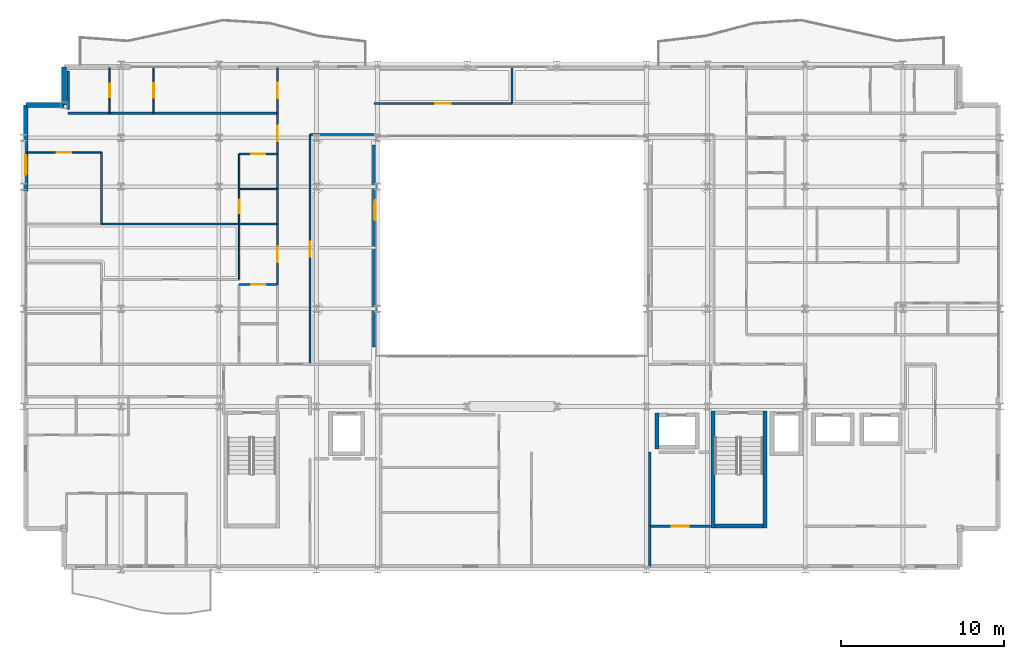
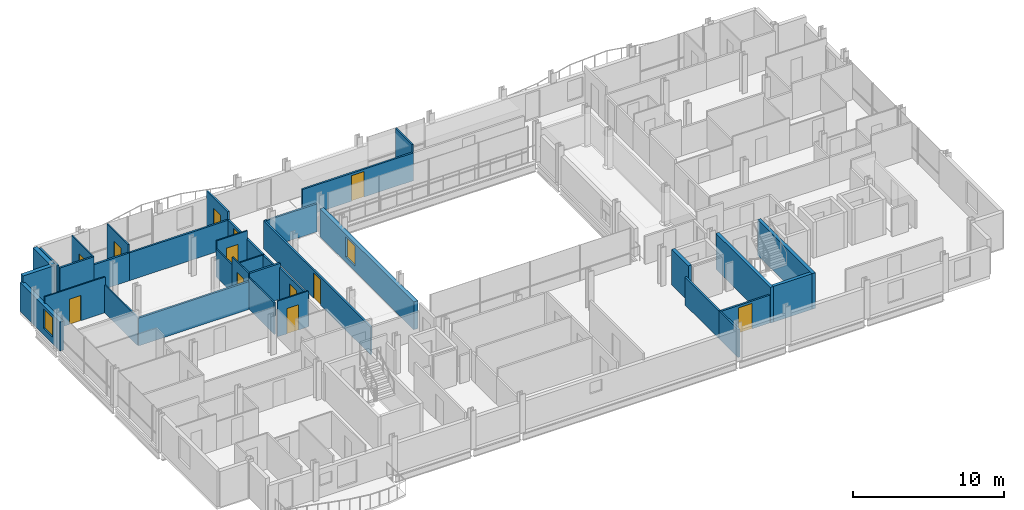
# One storey, part 35 of 41: 36 walls, 12 doors, 2 windows, 14 openings.
"""IFC4 building model written with IfcOpenShell, lengths in metres."""

from ifc_helpers import new_model, si_unit, direction, frame, frame_2d, origin, place, context, subcontext, project, spatial, rectangle, extrude, material, layer, layer_set, type_object, element, fill, save


model = new_model("IFC4")

# Units and contexts
model_context = context("Model", 3, precision=1e-05, world=origin(), true_north=direction((0.0, 1.0)))
body_context = subcontext(model_context, "Body", "Model", "MODEL_VIEW")
ifc_project = project(units=[si_unit("LENGTHUNIT", "METRE"), si_unit("AREAUNIT", "SQUARE_METRE"), si_unit("VOLUMEUNIT", "CUBIC_METRE"), si_unit("PLANEANGLEUNIT", "RADIAN"), si_unit("MASSUNIT", "GRAM", prefix="KILO")], contexts=[model_context])

# Site, building, storey
site_placement = place(None, origin())
site = spatial("IfcSite", under=ifc_project, at=site_placement, CompositionType="ELEMENT")
building_placement = place(site_placement, origin())
building = spatial("IfcBuilding", under=site, at=building_placement, Name="Brevholm Reach", CompositionType="ELEMENT")
storey_placement = place(building_placement, frame((0.0, 0.0, 163.5)))
storey = spatial("IfcBuildingStorey", under=building, at=storey_placement, Name="L49", CompositionType="ELEMENT", Elevation=163.5)

# Walls
ifc_material_1 = material(Name="Concrete C45/55", Category="concrete")
ifc_layer_1 = layer(ifc_material_1, 0.239990234375)
ifc_layer_set_1 = layer_set([ifc_layer_1], Name="Concrete C45/55")
wall_type_1 = type_object("IfcWallType", Name="WAL-COR-240", PredefinedType="SHEAR", material=ifc_layer_set_1)
for number, where, z_axis, x_axis, name in (
    (1, (42.330078125, 2.5400390625, 0.0), (0.0, 0.0, 1.0), (0.0, 1.0, 0.0), "L49 Escape Stair ST-2 Core Wall W"),
    (2, (45.52001953125, 2.5400390625, 0.0), (0.0, 0.0, 1.0), (0.0, 1.0, 0.0), "L49 Escape Stair ST-2 Core Wall E"),
):
    element("IfcWall", number, at=place(storey_placement, frame(where, z_axis=z_axis, x_axis=x_axis)), inside=storey, type_object=wall_type_1, Name=name, PredefinedType="SHEAR", context=body_context, shape_type="SweptSolid", body=[
        extrude(rectangle(XDim=7.199951171875, YDim=0.239990234375, at=frame_2d((3.60009765625, 0.0))), origin(), (0.0, 0.0, 1.0), 2.8798828125),
    ])
wall_1_placement = place(storey_placement, frame((42.449951171875, 2.659912109375, 0.0), z_axis=(0.0, 0.0, 1.0), x_axis=(1.0, 0.0, 0.0)))
element("IfcWall", 3, at=wall_1_placement, inside=storey, type_object=wall_type_1, Name="L49 Escape Stair ST-2 Core Wall S", PredefinedType="SHEAR", context=body_context, shape_type="SweptSolid", body=[
    extrude(rectangle(XDim=2.949951171875, YDim=0.239990234375, at=frame_2d((1.47509765625, 0.0))), origin(), (0.0, 0.0, 1.0), 2.8798828125),
])
wall_2_placement = place(storey_placement, frame((38.889892578125, 7.39990234375, 0.0), z_axis=(0.0, 0.0, 1.0), x_axis=(0.0, 1.0, 0.0)))
element("IfcWall", 4, at=wall_2_placement, inside=storey, type_object=wall_type_1, Name="L49 Lift PL-S1 Shaft Wall W", PredefinedType="SHEAR", context=body_context, shape_type="SweptSolid", body=[
    extrude(rectangle(XDim=2.2001953125, YDim=0.239990234375, at=frame_2d((1.10009765625, 0.0))), origin(), (0.0, 0.0, 1.0), 2.8798828125),
])
ifc_material_2 = material(Name="Concrete C40/50", Category="concrete")
ifc_layer_2 = layer(ifc_material_2, 0.300048828125)
ifc_layer_set_2 = layer_set([ifc_layer_2], Name="Concrete C40/50")
wall_type_2 = type_object("IfcWallType", Name="WAL-EXT-300", PredefinedType="STANDARD", material=ifc_layer_set_2)
for number, where, z_axis, x_axis, name in (
    (5, (2.5, 30.85009765625, 0.0), (0.0, 0.0, 1.0), (0.0, -1.0, 0.0), "L49 Facade Wall WAL-L49-CNW1"),
    (6, (2.5, 28.5, 0.0), (0.0, 0.0, 1.0), (-1.0, 0.0, 0.0), "L49 Facade Wall WAL-L49-CNW2"),
):
    element("IfcWall", number, at=place(storey_placement, frame(where, z_axis=z_axis, x_axis=x_axis)), inside=storey, type_object=wall_type_2, Name=name, PredefinedType="STANDARD", context=body_context, shape_type="SweptSolid", body=[
        extrude(rectangle(XDim=2.35009765625, YDim=0.300048828125, at=frame_2d((1.175048828125, 0.0))), origin(), (0.0, 0.0, 1.0), 2.8798828125),
    ])

# Wall, opening, window
wall_3_placement = place(storey_placement, frame((0.14990234375, 28.5, 0.0), z_axis=(0.0, 0.0, 1.0), x_axis=(0.0, -1.0, 0.0)))
wall_3 = element("IfcWall", 7, at=wall_3_placement, inside=storey, type_object=wall_type_2, Name="L49 Facade Wall WAL-L49-W-N", PredefinedType="STANDARD", context=body_context, shape_type="SweptSolid", body=[
    extrude(rectangle(XDim=5.280029296875, YDim=0.300048828125, at=frame_2d((2.64013671875, 0.0))), origin(), (0.0, 0.0, 1.0), 2.322021484375),
])
opening_1_placement = place(wall_3_placement, frame((3.080078125, 0.0, 0.501953125)))
opening_1 = element("IfcOpeningElement", 8, at=opening_1_placement, cuts=wall_3, Name="Opening WN-08", PredefinedType="OPENING", context=body_context, shape_type="SweptSolid", body=[
    extrude(rectangle(XDim=1.199951171875, YDim=1.60009765625, at=frame_2d((0.60009765625, 0.800048828125))), frame((0.0, 0.159912109375, 0.0), z_axis=(0.0, -1.0, 0.0), x_axis=(1.0, 0.0, 0.0)), (0.0, 0.0, 1.0), 0.320068359375),
])
ifc_material_3 = material(Name="Dark Anodised Aluminium and Solar-Control IGU Glass", Category="aluminium")
window_type = type_object("IfcWindowType", Name="WIN-RES-1200", PartitioningType="SINGLE_PANEL", PredefinedType="WINDOW", material=ifc_material_3)
window_1_placement = place(opening_1_placement, origin())
window_1 = element("IfcWindow", 9, at=window_1_placement, inside=storey, type_object=window_type, Name="L49 Window WIN-L49-WN-1", OverallHeight=1.60009765625, OverallWidth=1.199951171875, PartitioningType="SINGLE_PANEL", PredefinedType="WINDOW", context=body_context, shape_type="SweptSolid", body=[
    extrude(rectangle(XDim=1.199951171875, YDim=1.60009765625, at=frame_2d((0.60009765625, 0.800048828125))), frame((0.0, 0.030029296875, 0.0), z_axis=(0.0, -1.0, 0.0), x_axis=(1.0, 0.0, 0.0)), (0.0, 0.0, 1.0), 0.06005859375),
])
fill(opening_1, window_1)

wall_4_placement = place(storey_placement, frame((21.60009765625, 26.050048828125, 0.0), z_axis=(0.0, 0.0, 1.0), x_axis=(0.0, -1.0, 0.0)))
wall_4 = element("IfcWall", 10, at=wall_4_placement, inside=storey, type_object=wall_type_2, Name="L49 Facade Wall WAL-L49-AT-W", PredefinedType="STANDARD", context=body_context, shape_type="SweptSolid", body=[
    extrude(rectangle(XDim=12.400146484375, YDim=0.300048828125, at=frame_2d((6.2001953125, 0.0))), origin(), (0.0, 0.0, 1.0), 2.242919921875),
])
opening_2_placement = place(wall_4_placement, frame((3.39990234375, 0.0, 0.423095703125)))
opening_2 = element("IfcOpeningElement", 11, at=opening_2_placement, cuts=wall_4, Name="Opening WN-08", PredefinedType="OPENING", context=body_context, shape_type="SweptSolid", body=[
    extrude(rectangle(XDim=1.199951171875, YDim=1.60009765625, at=frame_2d((0.60009765625, 0.800048828125))), frame((0.0, 0.159912109375, 0.0), z_axis=(0.0, -1.0, 0.0), x_axis=(1.0, 0.0, 0.0)), (0.0, 0.0, 1.0), 0.320068359375),
])
window_2_placement = place(opening_2_placement, origin())
window_2 = element("IfcWindow", 12, at=window_2_placement, inside=storey, type_object=window_type, Name="L49 Window WIN-L49-AT-W1", OverallHeight=1.60009765625, OverallWidth=1.199951171875, PartitioningType="SINGLE_PANEL", PredefinedType="WINDOW", context=body_context, shape_type="SweptSolid", body=[
    extrude(rectangle(XDim=1.199951171875, YDim=1.60009765625, at=frame_2d((0.60009765625, 0.800048828125))), frame((0.0, 0.030029296875, 0.0), z_axis=(0.0, -1.0, 0.0), x_axis=(1.0, 0.0, 0.0)), (0.0, 0.0, 1.0), 0.06005859375),
])
fill(opening_2, window_2)

# Wall, opening, door
ifc_material_4 = material(Name="Moisture-Resistant Acoustic Gypsum Stud Partition 100 mm", Category="gypsum")
ifc_layer_3 = layer(ifc_material_4, 0.10009765625)
ifc_layer_set_3 = layer_set([ifc_layer_3], Name="Moisture-Resistant Acoustic Gypsum Stud Partition 100 mm")
wall_type_3 = type_object("IfcWallType", Name="WAL-PRT-100", PredefinedType="PARTITIONING", material=ifc_layer_set_3)
wall_5_placement = place(storey_placement, frame((13.25, 17.489990234375, 0.0), z_axis=(0.0, 0.0, 1.0), x_axis=(1.0, 0.0, 0.0)))
wall_5 = element("IfcWall", 13, at=wall_5_placement, inside=storey, type_object=wall_type_3, Name="L49 Internal Partition 074", PredefinedType="PARTITIONING", context=body_context, shape_type="SweptSolid", body=[
    extrude(rectangle(XDim=2.345947265625, YDim=0.10009765625, at=frame_2d((1.1728515625, 0.0))), origin(), (0.0, 0.0, 1.0), 2.8798828125),
])
opening_3_placement = place(wall_5_placement, frame((0.73291015625, 0.0, 0.0)))
opening_3 = element("IfcOpeningElement", 14, at=opening_3_placement, cuts=wall_5, Name="Opening ID-01", PredefinedType="OPENING", context=body_context, shape_type="SweptSolid", body=[
    extrude(rectangle(XDim=0.8798828125, YDim=2.0400390625, at=frame_2d((0.43994140625, 1.02001953125))), frame((0.0, 0.06005859375, 0.0), z_axis=(0.0, -1.0, 0.0), x_axis=(1.0, 0.0, 0.0)), (0.0, 0.0, 1.0), 0.1201171875),
])
ifc_material_5 = material(Name="Lacquered Ash Solid-Core Acoustic Internal Door", Category="timber")
door_type_1 = type_object("IfcDoorType", Name="DOR-INT-880", OperationType="NOTDEFINED", PredefinedType="DOOR", material=ifc_material_5)
door_1_placement = place(opening_3_placement, origin())
door_1 = element("IfcDoor", 15, at=door_1_placement, inside=storey, type_object=door_type_1, Name="L49 Internal Door 034", OperationType="SINGLE_SWING_RIGHT", OverallHeight=2.0400390625, OverallWidth=0.8798828125, PredefinedType="DOOR", context=body_context, shape_type="SweptSolid", body=[
    extrude(rectangle(XDim=0.8798828125, YDim=2.0400390625, at=frame_2d((0.43994140625, 1.02001953125))), frame((0.0, 0.02490234375, 0.0), z_axis=(0.0, -1.0, 0.0), x_axis=(1.0, 0.0, 0.0)), (0.0, 0.0, 1.0), 0.050048828125),
])
fill(opening_3, door_1)

# Walls
wall_6_placement = place(storey_placement, frame((13.25, 17.800048828125, 0.0), z_axis=(0.0, 0.0, 1.0), x_axis=(0.0, 1.0, 0.0)))
element("IfcWall", 16, at=wall_6_placement, inside=storey, type_object=wall_type_3, Name="L49 Internal Partition 082", PredefinedType="PARTITIONING", context=body_context, shape_type="SweptSolid", body=[
    extrude(rectangle(XDim=3.39990234375, YDim=0.10009765625, at=frame_2d((1.699951171875, 0.0))), origin(), (0.0, 0.0, 1.0), 2.551513671875),
])
wall_7_placement = place(storey_placement, frame((13.25, 23.35009765625, 0.0), z_axis=(0.0, 0.0, 1.0), x_axis=(1.0, 0.0, 0.0)))
element("IfcWall", 17, at=wall_7_placement, inside=storey, type_object=wall_type_3, Name="L49 Internal Partition 086", PredefinedType="PARTITIONING", context=body_context, shape_type="SweptSolid", body=[
    extrude(rectangle(XDim=2.345947265625, YDim=0.10009765625, at=frame_2d((1.1728515625, 0.0))), origin(), (0.0, 0.0, 1.0), 2.242919921875),
])

# Wall, opening, door
wall_8_placement = place(storey_placement, frame((13.25, 21.2041015625, 0.0), z_axis=(0.0, 0.0, 1.0), x_axis=(0.0, 1.0, 0.0)))
wall_8 = element("IfcWall", 18, at=wall_8_placement, inside=storey, type_object=wall_type_3, Name="L49 Internal Partition 087", PredefinedType="PARTITIONING", context=body_context, shape_type="SweptSolid", body=[
    extrude(rectangle(XDim=2.14599609375, YDim=0.10009765625, at=frame_2d((1.072998046875, 0.0))), origin(), (0.0, 0.0, 1.0), 2.8798828125),
])
opening_4_placement = place(wall_8_placement, frame((0.6630859375, 0.0, 0.0)))
opening_4 = element("IfcOpeningElement", 19, at=opening_4_placement, cuts=wall_8, Name="Opening ID-03", PredefinedType="OPENING", context=body_context, shape_type="SweptSolid", body=[
    extrude(rectangle(XDim=0.820068359375, YDim=2.02001953125, at=frame_2d((0.41015625, 1.010009765625))), frame((0.0, 0.06005859375, 0.0), z_axis=(0.0, -1.0, 0.0), x_axis=(1.0, 0.0, 0.0)), (0.0, 0.0, 1.0), 0.1201171875),
])
ifc_material_6 = material(Name="Moisture-Resistant Painted Timber Internal Bathroom Door", Category="wood")
door_type_2 = type_object("IfcDoorType", Name="DOR-BATH-820", OperationType="NOTDEFINED", PredefinedType="DOOR", material=ifc_material_6)
door_2_placement = place(opening_4_placement, origin())
door_2 = element("IfcDoor", 20, at=door_2_placement, inside=storey, type_object=door_type_2, Name="L49 Internal Door 038", OperationType="SINGLE_SWING_RIGHT", OverallHeight=2.02001953125, OverallWidth=0.820068359375, PredefinedType="DOOR", context=body_context, shape_type="SweptSolid", body=[
    extrude(rectangle(XDim=0.820068359375, YDim=2.02001953125, at=frame_2d((0.41015625, 1.010009765625))), frame((0.0, 0.02490234375, 0.0), z_axis=(0.0, -1.0, 0.0), x_axis=(1.0, 0.0, 0.0)), (0.0, 0.0, 1.0), 0.050048828125),
])
fill(opening_4, door_2)

wall_9_placement = place(storey_placement, frame((13.25, 25.5, 0.0), z_axis=(0.0, 0.0, 1.0), x_axis=(1.0, 0.0, 0.0)))
wall_9 = element("IfcWall", 21, at=wall_9_placement, inside=storey, type_object=wall_type_3, Name="L49 Internal Partition 088", PredefinedType="PARTITIONING", context=body_context, shape_type="SweptSolid", body=[
    extrude(rectangle(XDim=2.345947265625, YDim=0.10009765625, at=frame_2d((1.1728515625, 0.0))), origin(), (0.0, 0.0, 1.0), 2.8798828125),
])
opening_5_placement = place(wall_9_placement, frame((0.73291015625, 0.0, 0.0)))
opening_5 = element("IfcOpeningElement", 22, at=opening_5_placement, cuts=wall_9, Name="Opening ID-01", PredefinedType="OPENING", context=body_context, shape_type="SweptSolid", body=[
    extrude(rectangle(XDim=0.8798828125, YDim=2.0400390625, at=frame_2d((0.43994140625, 1.02001953125))), frame((0.0, 0.06005859375, 0.0), z_axis=(0.0, -1.0, 0.0), x_axis=(1.0, 0.0, 0.0)), (0.0, 0.0, 1.0), 0.1201171875),
])
door_3_placement = place(opening_5_placement, origin())
door_3 = element("IfcDoor", 23, at=door_3_placement, inside=storey, type_object=door_type_1, Name="L49 Internal Door 039", OperationType="SINGLE_SWING_LEFT", OverallHeight=2.0400390625, OverallWidth=0.8798828125, PredefinedType="DOOR", context=body_context, shape_type="SweptSolid", body=[
    extrude(rectangle(XDim=0.8798828125, YDim=2.0400390625, at=frame_2d((0.43994140625, 1.02001953125))), frame((0.0, 0.02490234375, 0.0), z_axis=(0.0, -1.0, 0.0), x_axis=(1.0, 0.0, 0.0)), (0.0, 0.0, 1.0), 0.050048828125),
])
fill(opening_5, door_3)

# Walls
wall_10_placement = place(storey_placement, frame((13.25, 23.35400390625, 0.0), z_axis=(0.0, 0.0, 1.0), x_axis=(0.0, 1.0, 0.0)))
element("IfcWall", 24, at=wall_10_placement, inside=storey, type_object=wall_type_3, Name="L49 Internal Partition 089", PredefinedType="PARTITIONING", context=body_context, shape_type="SweptSolid", body=[
    extrude(rectangle(XDim=2.14599609375, YDim=0.10009765625, at=frame_2d((1.072998046875, 0.0))), origin(), (0.0, 0.0, 1.0), 2.242919921875),
])
wall_11_placement = place(storey_placement, frame((4.800048828125, 21.2041015625, 0.0), z_axis=(0.0, 0.0, 1.0), x_axis=(0.0, 1.0, 0.0)))
element("IfcWall", 25, at=wall_11_placement, inside=storey, type_object=wall_type_3, Name="L49 Internal Partition 090", PredefinedType="PARTITIONING", context=body_context, shape_type="SweptSolid", body=[
    extrude(rectangle(XDim=4.39599609375, YDim=0.10009765625, at=frame_2d((2.197998046875, 0.0))), origin(), (0.0, 0.0, 1.0), 2.242919921875),
])

# Wall, opening, door
wall_12_placement = place(storey_placement, frame((0.199951171875, 25.60009765625, 0.0), z_axis=(0.0, 0.0, 1.0), x_axis=(1.0, 0.0, 0.0)))
wall_12 = element("IfcWall", 26, at=wall_12_placement, inside=storey, type_object=wall_type_3, Name="L49 Internal Partition 091", PredefinedType="PARTITIONING", context=body_context, shape_type="SweptSolid", body=[
    extrude(rectangle(XDim=4.60009765625, YDim=0.10009765625, at=frame_2d((2.300048828125, 0.0))), origin(), (0.0, 0.0, 1.0), 2.8798828125),
])
opening_6_placement = place(wall_12_placement, frame((1.860107421875, 0.0, 0.0)))
opening_6 = element("IfcOpeningElement", 27, at=opening_6_placement, cuts=wall_12, Name="Opening ID-01", PredefinedType="OPENING", context=body_context, shape_type="SweptSolid", body=[
    extrude(rectangle(XDim=0.8798828125, YDim=2.0400390625, at=frame_2d((0.43994140625, 1.02001953125))), frame((0.0, 0.06005859375, 0.0), z_axis=(0.0, -1.0, 0.0), x_axis=(1.0, 0.0, 0.0)), (0.0, 0.0, 1.0), 0.1201171875),
])
door_4_placement = place(opening_6_placement, origin())
door_4 = element("IfcDoor", 28, at=door_4_placement, inside=storey, type_object=door_type_1, Name="L49 Internal Door 040", OperationType="SINGLE_SWING_RIGHT", OverallHeight=2.0400390625, OverallWidth=0.8798828125, PredefinedType="DOOR", context=body_context, shape_type="SweptSolid", body=[
    extrude(rectangle(XDim=0.8798828125, YDim=2.0400390625, at=frame_2d((0.43994140625, 1.02001953125))), frame((0.0, 0.02490234375, 0.0), z_axis=(0.0, -1.0, 0.0), x_axis=(1.0, 0.0, 0.0)), (0.0, 0.0, 1.0), 0.050048828125),
])
fill(opening_6, door_4)

wall_13_placement = place(storey_placement, frame((5.300048828125, 28.00390625, 0.0), z_axis=(0.0, 0.0, 1.0), x_axis=(0.0, 1.0, 0.0)))
wall_13 = element("IfcWall", 29, at=wall_13_placement, inside=storey, type_object=wall_type_3, Name="L49 Internal Partition 120", PredefinedType="PARTITIONING", context=body_context, shape_type="SweptSolid", body=[
    extrude(rectangle(XDim=2.796142578125, YDim=0.10009765625, at=frame_2d((1.39794921875, 0.0))), origin(), (0.0, 0.0, 1.0), 2.8798828125),
])
opening_7_placement = place(wall_13_placement, frame((0.988037109375, 0.0, 0.0)))
opening_7 = element("IfcOpeningElement", 30, at=opening_7_placement, cuts=wall_13, Name="Opening ID-03", PredefinedType="OPENING", context=body_context, shape_type="SweptSolid", body=[
    extrude(rectangle(XDim=0.820068359375, YDim=2.02001953125, at=frame_2d((0.41015625, 1.010009765625))), frame((0.0, 0.06005859375, 0.0), z_axis=(0.0, -1.0, 0.0), x_axis=(1.0, 0.0, 0.0)), (0.0, 0.0, 1.0), 0.1201171875),
])
door_5_placement = place(opening_7_placement, origin())
door_5 = element("IfcDoor", 31, at=door_5_placement, inside=storey, type_object=door_type_2, Name="L49 Access Door 051", OperationType="SINGLE_SWING_LEFT", OverallHeight=2.02001953125, OverallWidth=0.820068359375, PredefinedType="DOOR", context=body_context, shape_type="SweptSolid", body=[
    extrude(rectangle(XDim=0.820068359375, YDim=2.02001953125, at=frame_2d((0.41015625, 1.010009765625))), frame((0.0, 0.02490234375, 0.0), z_axis=(0.0, -1.0, 0.0), x_axis=(1.0, 0.0, 0.0)), (0.0, 0.0, 1.0), 0.050048828125),
])
fill(opening_7, door_5)

wall_14_placement = place(storey_placement, frame((8.0, 28.00390625, 0.0), z_axis=(0.0, 0.0, 1.0), x_axis=(0.0, 1.0, 0.0)))
wall_14 = element("IfcWall", 32, at=wall_14_placement, inside=storey, type_object=wall_type_3, Name="L49 Internal Partition 121", PredefinedType="PARTITIONING", context=body_context, shape_type="SweptSolid", body=[
    extrude(rectangle(XDim=2.796142578125, YDim=0.10009765625, at=frame_2d((1.39794921875, 0.0))), origin(), (0.0, 0.0, 1.0), 2.8798828125),
])
opening_8_placement = place(wall_14_placement, frame((0.9580078125, 0.0, 0.0)))
opening_8 = element("IfcOpeningElement", 33, at=opening_8_placement, cuts=wall_14, Name="Opening ID-01", PredefinedType="OPENING", context=body_context, shape_type="SweptSolid", body=[
    extrude(rectangle(XDim=0.8798828125, YDim=2.0400390625, at=frame_2d((0.43994140625, 1.02001953125))), frame((0.0, 0.06005859375, 0.0), z_axis=(0.0, -1.0, 0.0), x_axis=(1.0, 0.0, 0.0)), (0.0, 0.0, 1.0), 0.1201171875),
])
door_6_placement = place(opening_8_placement, origin())
door_6 = element("IfcDoor", 34, at=door_6_placement, inside=storey, type_object=door_type_1, Name="L49 Internal Door 048", OperationType="SINGLE_SWING_RIGHT", OverallHeight=2.0400390625, OverallWidth=0.8798828125, PredefinedType="DOOR", context=body_context, shape_type="SweptSolid", body=[
    extrude(rectangle(XDim=0.8798828125, YDim=2.0400390625, at=frame_2d((0.43994140625, 1.02001953125))), frame((0.0, 0.02490234375, 0.0), z_axis=(0.0, -1.0, 0.0), x_axis=(1.0, 0.0, 0.0)), (0.0, 0.0, 1.0), 0.050048828125),
])
fill(opening_8, door_6)

# Walls
wall_15_placement = place(storey_placement, frame((30.0, 28.60400390625, 0.0), z_axis=(0.0, 0.0, 1.0), x_axis=(0.0, 1.0, 0.0)))
element("IfcWall", 35, at=wall_15_placement, inside=storey, type_object=wall_type_3, Name="L49 Internal Partition 122", PredefinedType="PARTITIONING", context=body_context, shape_type="SweptSolid", body=[
    extrude(rectangle(XDim=2.196044921875, YDim=0.10009765625, at=frame_2d((1.09814453125, 0.0))), origin(), (0.0, 0.0, 1.0), 2.8798828125),
])
ifc_material_7 = material(Name="Twin-Stud Acoustic Fire-Rated Gypsum Partition 140 mm", Category="gypsum")
ifc_layer_4 = layer(ifc_material_7, 0.139892578125)
ifc_layer_set_4 = layer_set([ifc_layer_4], Name="Twin-Stud Acoustic Fire-Rated Gypsum Partition 140 mm")
wall_type_4 = type_object("IfcWallType", Name="WAL-PRT-140", PredefinedType="PARTITIONING", material=ifc_layer_set_4)
wall_16_placement = place(storey_placement, frame((38.449951171875, 0.179931640625, 0.0), z_axis=(0.0, 0.0, 1.0), x_axis=(0.0, 1.0, 0.0)))
element("IfcWall", 36, at=wall_16_placement, inside=storey, type_object=wall_type_4, Name="L49 Internal Partition 010", PredefinedType="PARTITIONING", context=body_context, shape_type="SweptSolid", body=[
    extrude(rectangle(XDim=2.4814453125, YDim=0.139892578125, at=frame_2d((1.24072265625, 0.0))), origin(), (0.0, 0.0, 1.0), 2.242919921875),
])
wall_17_placement = place(storey_placement, frame((38.449951171875, 2.642578125, 0.0), z_axis=(0.0, 0.0, 1.0), x_axis=(0.0, 1.0, 0.0)))
element("IfcWall", 37, at=wall_17_placement, inside=storey, type_object=wall_type_4, Name="L49 Internal Partition 011", PredefinedType="PARTITIONING", context=body_context, shape_type="SweptSolid", body=[
    extrude(rectangle(XDim=4.557373046875, YDim=0.139892578125, at=frame_2d((2.27880859375, 0.0))), origin(), (0.0, 0.0, 1.0), 2.242919921875),
])

# Wall, opening, door
wall_18_placement = place(storey_placement, frame((38.4541015625, 2.64990234375, 0.0), z_axis=(0.0, 0.0, 1.0), x_axis=(1.0, 0.0, 0.0)))
wall_18 = element("IfcWall", 38, at=wall_18_placement, inside=storey, type_object=wall_type_4, Name="L49 Internal Partition 013", PredefinedType="PARTITIONING", context=body_context, shape_type="SweptSolid", body=[
    extrude(rectangle(XDim=3.745849609375, YDim=0.139892578125, at=frame_2d((1.873046875, 0.0))), origin(), (0.0, 0.0, 1.0), 2.242919921875),
])
opening_9_placement = place(wall_18_placement, frame((1.347900390625, 0.0, 0.0)))
opening_9 = element("IfcOpeningElement", 39, at=opening_9_placement, cuts=wall_18, Name="Opening FD-01", PredefinedType="OPENING", context=body_context, shape_type="SweptSolid", body=[
    extrude(rectangle(XDim=1.050048828125, YDim=2.06005859375, at=frame_2d((0.52490234375, 1.030029296875))), frame((0.0, 0.079833984375, 0.0), z_axis=(0.0, -1.0, 0.0), x_axis=(1.0, 0.0, 0.0)), (0.0, 0.0, 1.0), 0.159912109375),
])
ifc_material_8 = material(Name="Hardwood-Lipped Steel-Core Fire and Smoke Door", Category="steel")
door_type_3 = type_object("IfcDoorType", Name="DOR-INT-FD60S", OperationType="NOTDEFINED", PredefinedType="DOOR", material=ifc_material_8)
door_7_placement = place(opening_9_placement, origin())
door_7 = element("IfcDoor", 40, at=door_7_placement, inside=storey, type_object=door_type_3, Name="L49 Internal Door 006", OperationType="SINGLE_SWING_RIGHT", OverallHeight=2.06005859375, OverallWidth=1.050048828125, PredefinedType="DOOR", context=body_context, shape_type="SweptSolid", body=[
    extrude(rectangle(XDim=1.050048828125, YDim=2.06005859375, at=frame_2d((0.52490234375, 1.030029296875))), frame((0.0, 0.02490234375, 0.0), z_axis=(0.0, -1.0, 0.0), x_axis=(1.0, 0.0, 0.0)), (0.0, 0.0, 1.0), 0.050048828125),
])
fill(opening_9, door_7)

wall_19_placement = place(storey_placement, frame((15.60009765625, 17.482666015625, 0.0), z_axis=(0.0, 0.0, 1.0), x_axis=(0.0, 1.0, 0.0)))
wall_19 = element("IfcWall", 41, at=wall_19_placement, inside=storey, type_object=wall_type_4, Name="L49 Internal Partition 036", PredefinedType="PARTITIONING", context=body_context, shape_type="SweptSolid", body=[
    extrude(rectangle(XDim=3.728515625, YDim=0.139892578125, at=frame_2d((1.8642578125, 0.0))), origin(), (0.0, 0.0, 1.0), 2.551513671875),
])
opening_10_placement = place(wall_19_placement, frame((1.389404296875, 0.0, 0.0)))
opening_10 = element("IfcOpeningElement", 42, at=opening_10_placement, cuts=wall_19, Name="Opening ID-30", PredefinedType="OPENING", context=body_context, shape_type="SweptSolid", body=[
    extrude(rectangle(XDim=0.949951171875, YDim=2.050048828125, at=frame_2d((0.47509765625, 1.02490234375))), frame((0.0, 0.079833984375, 0.0), z_axis=(0.0, -1.0, 0.0), x_axis=(1.0, 0.0, 0.0)), (0.0, 0.0, 1.0), 0.159912109375),
])
ifc_material_9 = material(Name="European Oak Veneered Solid-Core Fire Entrance Door", Category="timber")
door_type_4 = type_object("IfcDoorType", Name="DOR-FLT-FD30S", OperationType="NOTDEFINED", PredefinedType="DOOR", material=ifc_material_9)
door_8_placement = place(opening_10_placement, origin())
door_8 = element("IfcDoor", 43, at=door_8_placement, inside=storey, type_object=door_type_4, Name="L49 Internal Door 018", OperationType="SINGLE_SWING_RIGHT", OverallHeight=2.050048828125, OverallWidth=0.949951171875, PredefinedType="DOOR", context=body_context, shape_type="SweptSolid", body=[
    extrude(rectangle(XDim=0.949951171875, YDim=2.050048828125, at=frame_2d((0.47509765625, 1.02490234375))), frame((0.0, 0.02490234375, 0.0), z_axis=(0.0, -1.0, 0.0), x_axis=(1.0, 0.0, 0.0)), (0.0, 0.0, 1.0), 0.050048828125),
])
fill(opening_10, door_8)

# Walls
wall_20_placement = place(storey_placement, frame((15.60009765625, 21.192626953125, 0.0), z_axis=(0.0, 0.0, 1.0), x_axis=(0.0, 1.0, 0.0)))
element("IfcWall", 44, at=wall_20_placement, inside=storey, type_object=wall_type_4, Name="L49 Internal Partition 037", PredefinedType="PARTITIONING", context=body_context, shape_type="SweptSolid", body=[
    extrude(rectangle(XDim=2.168701171875, YDim=0.139892578125, at=frame_2d((1.08447265625, 0.0))), origin(), (0.0, 0.0, 1.0), 2.242919921875),
])
wall_21_placement = place(storey_placement, frame((15.60009765625, 23.3427734375, 0.0), z_axis=(0.0, 0.0, 1.0), x_axis=(0.0, 1.0, 0.0)))
element("IfcWall", 45, at=wall_21_placement, inside=storey, type_object=wall_type_4, Name="L49 Internal Partition 038", PredefinedType="PARTITIONING", context=body_context, shape_type="SweptSolid", body=[
    extrude(rectangle(XDim=2.16845703125, YDim=0.139892578125, at=frame_2d((1.084228515625, 0.0))), origin(), (0.0, 0.0, 1.0), 2.242919921875),
])

# Wall, opening, door
wall_22_placement = place(storey_placement, frame((15.60009765625, 25.49267578125, 0.0), z_axis=(0.0, 0.0, 1.0), x_axis=(0.0, 1.0, 0.0)))
wall_22 = element("IfcWall", 46, at=wall_22_placement, inside=storey, type_object=wall_type_4, Name="L49 Internal Partition 039", PredefinedType="PARTITIONING", context=body_context, shape_type="SweptSolid", body=[
    extrude(rectangle(XDim=2.5185546875, YDim=0.139892578125, at=frame_2d((1.25927734375, 0.0))), origin(), (0.0, 0.0, 1.0), 2.242919921875),
])
opening_11_placement = place(wall_22_placement, frame((0.7841796875, 0.0, 0.0)))
opening_11 = element("IfcOpeningElement", 47, at=opening_11_placement, cuts=wall_22, Name="Opening ID-30", PredefinedType="OPENING", context=body_context, shape_type="SweptSolid", body=[
    extrude(rectangle(XDim=0.949951171875, YDim=2.050048828125, at=frame_2d((0.47509765625, 1.02490234375))), frame((0.0, 0.079833984375, 0.0), z_axis=(0.0, -1.0, 0.0), x_axis=(1.0, 0.0, 0.0)), (0.0, 0.0, 1.0), 0.159912109375),
])
door_9_placement = place(opening_11_placement, origin())
door_9 = element("IfcDoor", 48, at=door_9_placement, inside=storey, type_object=door_type_4, Name="L49 Internal Door 019", OperationType="SINGLE_SWING_LEFT", OverallHeight=2.050048828125, OverallWidth=0.949951171875, PredefinedType="DOOR", context=body_context, shape_type="SweptSolid", body=[
    extrude(rectangle(XDim=0.949951171875, YDim=2.050048828125, at=frame_2d((0.47509765625, 1.02490234375))), frame((0.0, 0.02490234375, 0.0), z_axis=(0.0, -1.0, 0.0), x_axis=(1.0, 0.0, 0.0)), (0.0, 0.0, 1.0), 0.050048828125),
])
fill(opening_11, door_9)

wall_23_placement = place(storey_placement, frame((17.60009765625, 12.60400390625, 0.0), z_axis=(0.0, 0.0, 1.0), x_axis=(0.0, 1.0, 0.0)))
wall_23 = element("IfcWall", 49, at=wall_23_placement, inside=storey, type_object=wall_type_4, Name="L49 Internal Partition 040", PredefinedType="PARTITIONING", context=body_context, shape_type="SweptSolid", body=[
    extrude(rectangle(XDim=14.103271484375, YDim=0.139892578125, at=frame_2d((7.0517578125, 0.0))), origin(), (0.0, 0.0, 1.0), 2.242919921875),
])
opening_12_placement = place(wall_23_placement, frame((6.57666015625, 0.0, 0.0)))
opening_12 = element("IfcOpeningElement", 50, at=opening_12_placement, cuts=wall_23, Name="Opening ID-30", PredefinedType="OPENING", context=body_context, shape_type="SweptSolid", body=[
    extrude(rectangle(XDim=0.949951171875, YDim=2.050048828125, at=frame_2d((0.47509765625, 1.02490234375))), frame((0.0, 0.079833984375, 0.0), z_axis=(0.0, -1.0, 0.0), x_axis=(1.0, 0.0, 0.0)), (0.0, 0.0, 1.0), 0.159912109375),
])
door_10_placement = place(opening_12_placement, origin())
door_10 = element("IfcDoor", 51, at=door_10_placement, inside=storey, type_object=door_type_4, Name="L49 Internal Door 020", OperationType="SINGLE_SWING_RIGHT", OverallHeight=2.050048828125, OverallWidth=0.949951171875, PredefinedType="DOOR", context=body_context, shape_type="SweptSolid", body=[
    extrude(rectangle(XDim=0.949951171875, YDim=2.050048828125, at=frame_2d((0.47509765625, 1.02490234375))), frame((0.0, 0.02490234375, 0.0), z_axis=(0.0, -1.0, 0.0), x_axis=(1.0, 0.0, 0.0)), (0.0, 0.0, 1.0), 0.050048828125),
])
fill(opening_12, door_10)

wall_24_placement = place(storey_placement, frame((15.60009765625, 27.99267578125, 0.0), z_axis=(0.0, 0.0, 1.0), x_axis=(0.0, 1.0, 0.0)))
wall_24 = element("IfcWall", 52, at=wall_24_placement, inside=storey, type_object=wall_type_4, Name="L49 Internal Partition 041", PredefinedType="PARTITIONING", context=body_context, shape_type="SweptSolid", body=[
    extrude(rectangle(XDim=2.807373046875, YDim=0.139892578125, at=frame_2d((1.40380859375, 0.0))), origin(), (0.0, 0.0, 1.0), 2.8798828125),
])
opening_13_placement = place(wall_24_placement, frame((0.9287109375, 0.0, 0.0)))
opening_13 = element("IfcOpeningElement", 53, at=opening_13_placement, cuts=wall_24, Name="Opening ID-30", PredefinedType="OPENING", context=body_context, shape_type="SweptSolid", body=[
    extrude(rectangle(XDim=0.949951171875, YDim=2.050048828125, at=frame_2d((0.47509765625, 1.02490234375))), frame((0.0, 0.079833984375, 0.0), z_axis=(0.0, -1.0, 0.0), x_axis=(1.0, 0.0, 0.0)), (0.0, 0.0, 1.0), 0.159912109375),
])
door_11_placement = place(opening_13_placement, origin())
door_11 = element("IfcDoor", 54, at=door_11_placement, inside=storey, type_object=door_type_4, Name="L49 Internal Door 021", OperationType="SINGLE_SWING_LEFT", OverallHeight=2.050048828125, OverallWidth=0.949951171875, PredefinedType="DOOR", context=body_context, shape_type="SweptSolid", body=[
    extrude(rectangle(XDim=0.949951171875, YDim=2.050048828125, at=frame_2d((0.47509765625, 1.02490234375))), frame((0.0, 0.02490234375, 0.0), z_axis=(0.0, -1.0, 0.0), x_axis=(1.0, 0.0, 0.0)), (0.0, 0.0, 1.0), 0.050048828125),
])
fill(opening_13, door_11)

# Wall
wall_25_placement = place(storey_placement, frame((17.60400390625, 26.699951171875, 0.0), z_axis=(0.0, 0.0, 1.0), x_axis=(1.0, 0.0, 0.0)))
element("IfcWall", 55, at=wall_25_placement, inside=storey, type_object=wall_type_4, Name="L49 Internal Partition 052", PredefinedType="PARTITIONING", context=body_context, shape_type="SweptSolid", body=[
    extrude(rectangle(XDim=3.957275390625, YDim=0.139892578125, at=frame_2d((1.978515625, 0.0))), origin(), (0.0, 0.0, 1.0), 2.242919921875),
])

# Wall, opening, door
wall_26_placement = place(storey_placement, frame((21.542724609375, 28.60009765625, 0.0), z_axis=(0.0, 0.0, 1.0), x_axis=(1.0, 0.0, 0.0)))
wall_26 = element("IfcWall", 56, at=wall_26_placement, inside=storey, type_object=wall_type_4, Name="L49 Internal Partition 054", PredefinedType="PARTITIONING", context=body_context, shape_type="SweptSolid", body=[
    extrude(rectangle(XDim=8.468505859375, YDim=0.139892578125, at=frame_2d((4.234375, 0.0))), origin(), (0.0, 0.0, 1.0), 2.242919921875),
])
opening_14_placement = place(wall_26_placement, frame((3.75927734375, 0.0, 0.0)))
opening_14 = element("IfcOpeningElement", 57, at=opening_14_placement, cuts=wall_26, Name="Opening ID-30", PredefinedType="OPENING", context=body_context, shape_type="SweptSolid", body=[
    extrude(rectangle(XDim=0.949951171875, YDim=2.050048828125, at=frame_2d((0.47509765625, 1.02490234375))), frame((0.0, 0.079833984375, 0.0), z_axis=(0.0, -1.0, 0.0), x_axis=(1.0, 0.0, 0.0)), (0.0, 0.0, 1.0), 0.159912109375),
])
door_12_placement = place(opening_14_placement, origin())
door_12 = element("IfcDoor", 58, at=door_12_placement, inside=storey, type_object=door_type_4, Name="L49 Internal Door 025", OperationType="SINGLE_SWING_LEFT", OverallHeight=2.050048828125, OverallWidth=0.949951171875, PredefinedType="DOOR", context=body_context, shape_type="SweptSolid", body=[
    extrude(rectangle(XDim=0.949951171875, YDim=2.050048828125, at=frame_2d((0.47509765625, 1.02490234375))), frame((0.0, 0.02490234375, 0.0), z_axis=(0.0, -1.0, 0.0), x_axis=(1.0, 0.0, 0.0)), (0.0, 0.0, 1.0), 0.050048828125),
])
fill(opening_14, door_12)

# Walls
wall_27_placement = place(storey_placement, frame((4.792724609375, 21.199951171875, 0.0), z_axis=(0.0, 0.0, 1.0), x_axis=(1.0, 0.0, 0.0)))
element("IfcWall", 59, at=wall_27_placement, inside=storey, type_object=wall_type_4, Name="L49 Internal Partition 084", PredefinedType="PARTITIONING", context=body_context, shape_type="SweptSolid", body=[
    extrude(rectangle(XDim=8.457275390625, YDim=0.139892578125, at=frame_2d((4.228515625, 0.0))), origin(), (0.0, 0.0, 1.0), 2.242919921875),
])
wall_28_placement = place(storey_placement, frame((13.25390625, 21.199951171875, 0.0), z_axis=(0.0, 0.0, 1.0), x_axis=(1.0, 0.0, 0.0)))
element("IfcWall", 60, at=wall_28_placement, inside=storey, type_object=wall_type_4, Name="L49 Internal Partition 085", PredefinedType="PARTITIONING", context=body_context, shape_type="SweptSolid", body=[
    extrude(rectangle(XDim=2.342041015625, YDim=0.139892578125, at=frame_2d((1.1708984375, 0.0))), origin(), (0.0, 0.0, 1.0), 2.8798828125),
])
wall_29_placement = place(storey_placement, frame((2.73876953125, 28.0, 0.0), z_axis=(0.0, 0.0, 1.0), x_axis=(1.0, 0.0, 0.0)))
element("IfcWall", 61, at=wall_29_placement, inside=storey, type_object=wall_type_4, Name="L49 Internal Partition 092", PredefinedType="PARTITIONING", context=body_context, shape_type="SweptSolid", body=[
    extrude(rectangle(XDim=2.572509765625, YDim=0.139892578125, at=frame_2d((1.2861328125, 0.0))), origin(), (0.0, 0.0, 1.0), 2.8798828125),
])
wall_30_placement = place(storey_placement, frame((5.292724609375, 28.0, 0.0), z_axis=(0.0, 0.0, 1.0), x_axis=(1.0, 0.0, 0.0)))
element("IfcWall", 62, at=wall_30_placement, inside=storey, type_object=wall_type_4, Name="L49 Internal Partition 093", PredefinedType="PARTITIONING", context=body_context, shape_type="SweptSolid", body=[
    extrude(rectangle(XDim=2.718505859375, YDim=0.139892578125, at=frame_2d((1.359375, 0.0))), origin(), (0.0, 0.0, 1.0), 2.242919921875),
])
wall_31_placement = place(storey_placement, frame((7.99267578125, 28.0, 0.0), z_axis=(0.0, 0.0, 1.0), x_axis=(1.0, 0.0, 0.0)))
element("IfcWall", 63, at=wall_31_placement, inside=storey, type_object=wall_type_4, Name="L49 Internal Partition 094", PredefinedType="PARTITIONING", context=body_context, shape_type="SweptSolid", body=[
    extrude(rectangle(XDim=7.603271484375, YDim=0.139892578125, at=frame_2d((3.8017578125, 0.0))), origin(), (0.0, 0.0, 1.0), 2.242919921875),
])
wall_32_placement = place(storey_placement, frame((2.75, 28.239990234375, 0.0), z_axis=(0.0, 0.0, 1.0), x_axis=(0.0, 1.0, 0.0)))
element("IfcWall", 64, at=wall_32_placement, inside=storey, type_object=wall_type_4, Name="L49 Internal Partition 132", PredefinedType="PARTITIONING", context=body_context, shape_type="SweptSolid", body=[
    extrude(rectangle(XDim=2.3701171875, YDim=0.139892578125, at=frame_2d((1.18505859375, 0.0))), origin(), (0.0, 0.0, 1.0), 2.8798828125),
])

save(model, "model.ifc")
